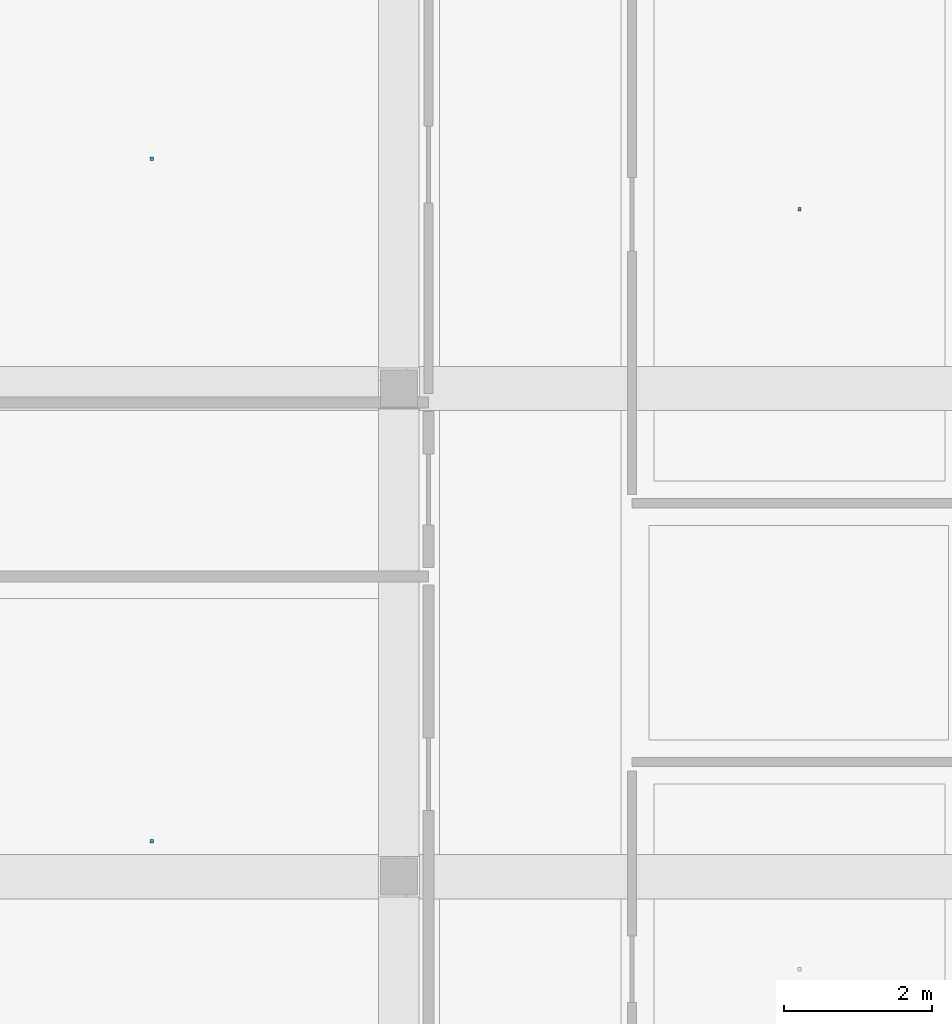
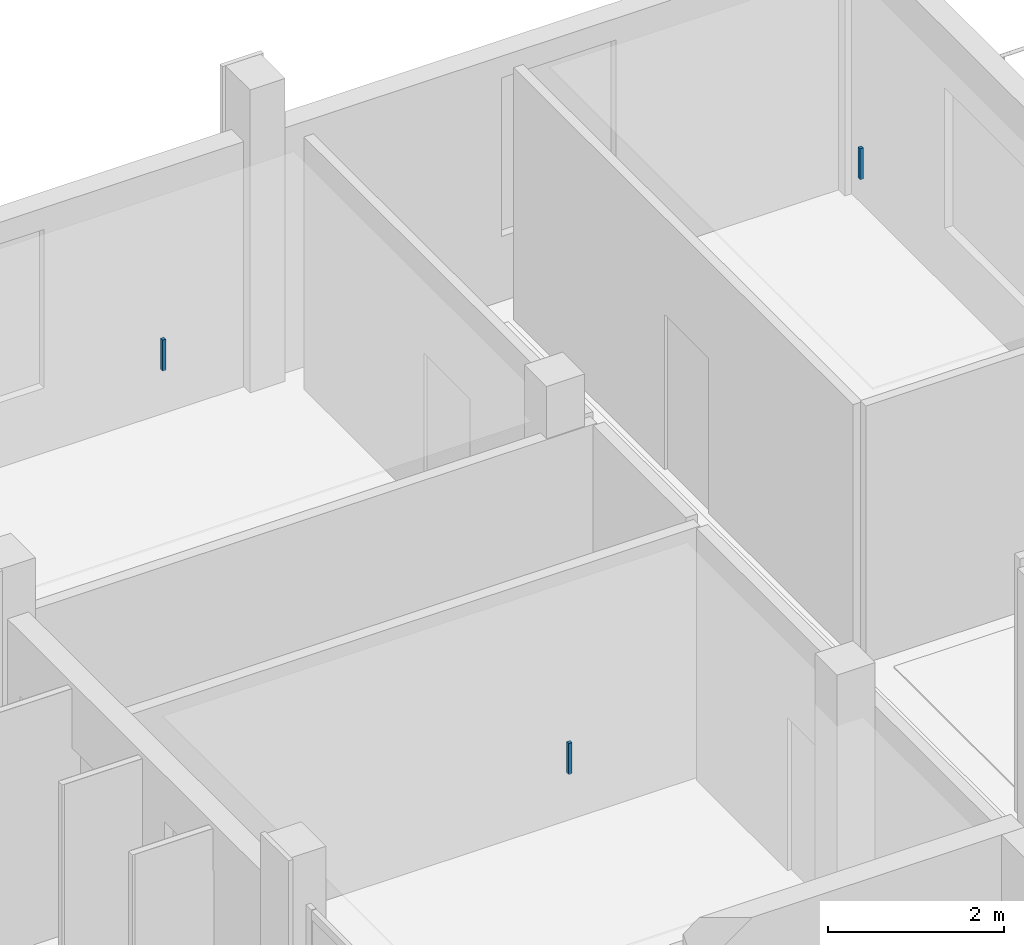
# One storey, part 64 of 85: 3 discrete accessories.
"""IFC4 building model written with IfcOpenShell, lengths in metres."""

from ifc_helpers import new_model, si_unit, derived_unit, direction, frame, origin, origin_2d, place, context, subcontext, project, spatial, rectangle, extrude, material, type_object, element, save


model = new_model("IFC4")

# Units and contexts
model_context = context("Model", 3, precision=1e-05, world=origin(), true_north=direction((0.0, 1.0)))
body_context = subcontext(model_context, "Body", "Model", "MODEL_VIEW")
ifc_project = project(units=[si_unit("LENGTHUNIT", "METRE"), si_unit("AREAUNIT", "SQUARE_METRE"), si_unit("VOLUMEUNIT", "CUBIC_METRE"), si_unit("PLANEANGLEUNIT", "RADIAN"), si_unit("MASSUNIT", "GRAM", prefix="KILO"), derived_unit("THERMALTRANSMITTANCEUNIT", [(si_unit("POWERUNIT", "WATT"), 1), (si_unit("LENGTHUNIT", "METRE"), -2), (si_unit("THERMODYNAMICTEMPERATUREUNIT", "KELVIN"), -1)])], contexts=[model_context])

# Site, building, storey
site_placement = place(None, origin())
site = spatial("IfcSite", under=ifc_project, at=site_placement, CompositionType="ELEMENT")
building_placement = place(site_placement, origin())
building = spatial("IfcBuilding", under=site, at=building_placement, Name="Braskholm Square Health Centre", CompositionType="ELEMENT")
storey_placement = place(building_placement, frame((0.0, 0.0, 9.300048828125)))
storey = spatial("IfcBuildingStorey", under=building, at=storey_placement, Name="L03", CompositionType="ELEMENT", Elevation=9.300048828125)

# Discrete accessories
ifc_material = material(Name="Steel ASTM A500 Grade C", Category="steel")
discrete_accessory_type = type_object("IfcDiscreteAccessoryType", Name="CeilingSuspensionBracket", PredefinedType="BRACKET", material=ifc_material)
for number, where, z_axis, x_axis, name in (
    (1, (8.06005859375, 100.8798828125, 3.48193359375), (0.0, 0.0, 1.0), (1.0, 0.0, 0.0), "Ceiling hanger bracket 0052"),
    (2, (8.06005859375, 110.10498046875, 3.48193359375), (0.0, 0.0, 1.0), (1.0, 0.0, 0.0), "Ceiling hanger bracket 0053"),
    (3, (16.81494140625, 109.425048828125, 3.48193359375), (0.0, 0.0, 1.0), (1.0, 0.0, 0.0), "Ceiling hanger bracket 0059"),
):
    element("IfcDiscreteAccessory", number, at=place(storey_placement, frame(where, z_axis=z_axis, x_axis=x_axis)), inside=storey, type_object=discrete_accessory_type, Name=name, PredefinedType="BRACKET", context=body_context, shape_type="SweptSolid", body=[
        extrude(rectangle(XDim=0.044921875, YDim=0.044921875, at=origin_2d()), origin(), (0.0, 0.0, 1.0), 0.429931640625),
    ])

save(model, "model.ifc")
